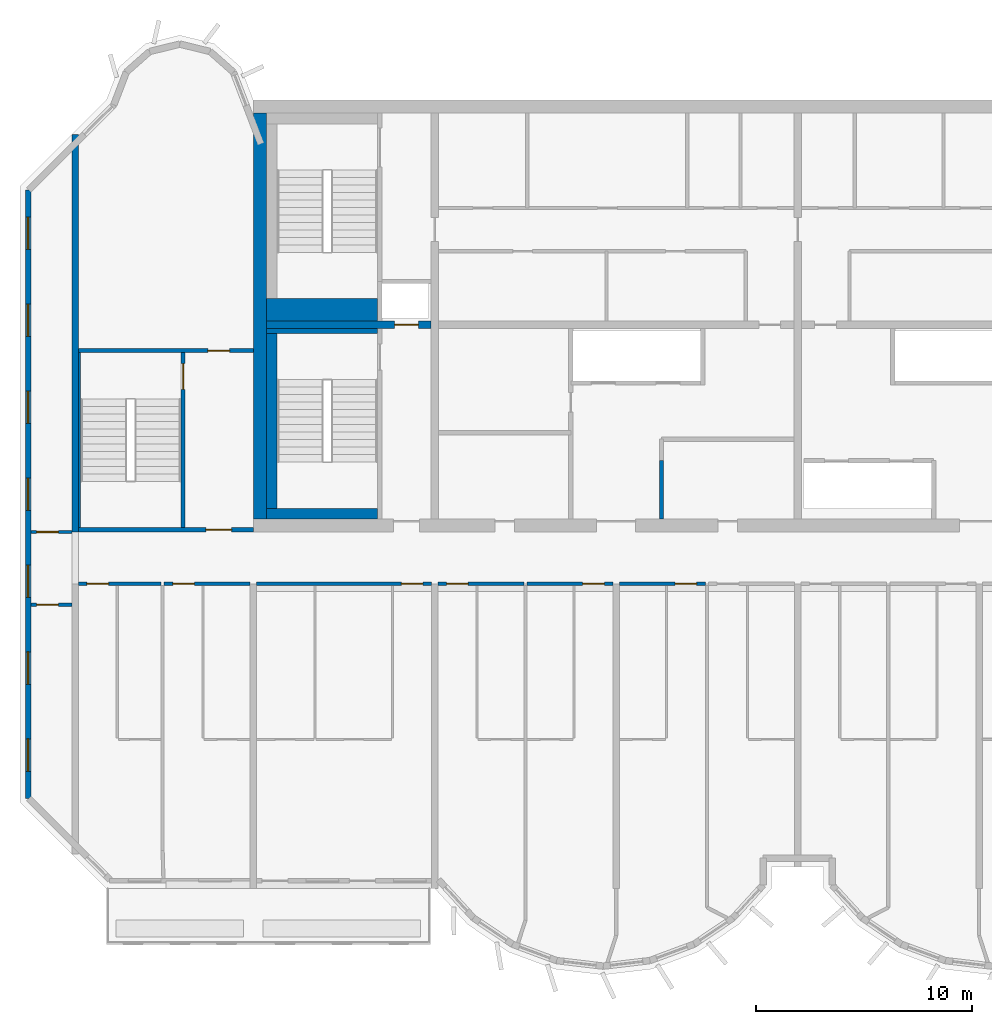
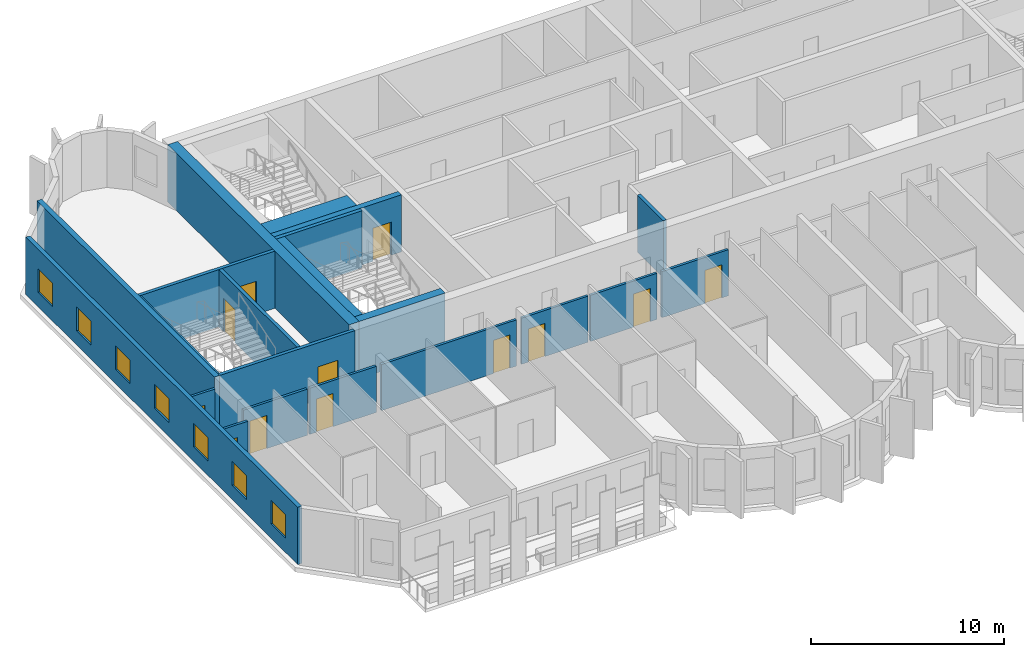
# One storey, part 3 of 11: 21 walls, 12 doors, 7 windows, 19 openings.
"""IFC4 building model written with IfcOpenShell, lengths in metres."""

import ifcopenshell
import ifcopenshell.guid

model = None  # the IFC model being written
_history = None  # IfcOwnerHistory: only IFC2X3 demands one
_inside = {}  # id of a spatial element -> (the spatial element, [elements in it])
_under = {}  # id of a project, library or spatial element -> (it, [spatial elements below it])
_declared = {}  # id of a project -> (the project, [libraries it declares])
_typed = {}  # id of a type object -> (the type object, [elements of that type])
_made_of = {}  # id of a material, layer set ... -> (it, [elements and type objects made of it])


def new_model(schema):
    """Start an empty IFC model of exactly this schema.

    Asked for "IFC4X3", IfcOpenShell would pick the latest addendum, in which some entities
    have other attributes; the version numbers below select the first issue.
    IFC2X3 requires an IfcOwnerHistory on every rooted entity: one is made here for all.
    """
    global model, _history
    if schema == "IFC4X3":
        model = ifcopenshell.file(schema_version=(4, 3, 0, 0))
    else:
        model = ifcopenshell.file(schema=schema)
    _inside.clear()
    _under.clear()
    _declared.clear()
    _typed.clear()
    _made_of.clear()
    _history = None
    if model.schema == "IFC2X3":
        org = make("IfcOrganization", Name="unknown")
        user = make(
            "IfcPersonAndOrganization",
            ThePerson=make("IfcPerson", FamilyName="unknown"),
            TheOrganization=org,
        )
        app = make(
            "IfcApplication",
            ApplicationDeveloper=org,
            Version="unknown",
            ApplicationFullName="unknown",
            ApplicationIdentifier="unknown",
        )
        _history = make(
            "IfcOwnerHistory",
            OwningUser=user,
            OwningApplication=app,
            ChangeAction="ADDED",
            CreationDate=0,
        )
    return model


def make(cls, **values):
    """One entity of the class cls with the attributes given. An attribute that is None is left unset."""
    return model.create_entity(
        cls, **{name: value for name, value in values.items() if value is not None}
    )


def rooted(cls, **values):
    """An entity with a GlobalId (a new one), such as an element, a storey or a relation."""
    return make(cls, GlobalId=ifcopenshell.guid.new(), OwnerHistory=_history, **values)


def si_unit(unit_type, name, prefix=None):
    """IfcSIUnit, for example si_unit("LENGTHUNIT", "METRE", prefix="MILLI")."""
    return make("IfcSIUnit", UnitType=unit_type, Prefix=prefix, Name=name)


def assignment(units):
    """IfcUnitAssignment: the units of a project."""
    return None if units is None else make("IfcUnitAssignment", Units=units)


def point(xyz):
    """IfcCartesianPoint."""
    return None if xyz is None else make("IfcCartesianPoint", Coordinates=xyz)


def direction(xyz):
    """IfcDirection."""
    return None if xyz is None else make("IfcDirection", DirectionRatios=xyz)


def frame(location, z_axis=None, x_axis=None):
    """IfcAxis2Placement3D, a coordinate frame: its origin and axes. An axis left out is left unset."""
    return make(
        "IfcAxis2Placement3D",
        Location=point(location),
        Axis=direction(z_axis),
        RefDirection=direction(x_axis),
    )


def frame_2d(location, x_axis=None):
    """IfcAxis2Placement2D, a coordinate frame in the plane: its origin and x axis."""
    return make(
        "IfcAxis2Placement2D", Location=point(location), RefDirection=direction(x_axis)
    )


def origin():
    """The frame at (0, 0, 0) with its axes left unset."""
    return frame((0.0, 0.0, 0.0))


def place(relative_to, where):
    """IfcLocalPlacement: puts the frame where relative to a parent placement (None: the world)."""
    return make(
        "IfcLocalPlacement", PlacementRelTo=relative_to, RelativePlacement=where
    )


def context(
    kind, dimensions, precision=None, world=None, true_north=None, identifier=None
):
    """IfcGeometricRepresentationContext, for example the 3D "Model" context."""
    return make(
        "IfcGeometricRepresentationContext",
        ContextIdentifier=identifier,
        ContextType=kind,
        CoordinateSpaceDimension=dimensions,
        Precision=precision,
        WorldCoordinateSystem=world,
        TrueNorth=true_north,
    )


def subcontext(parent, identifier, kind, view, scale=None):
    """IfcGeometricRepresentationSubContext, for example "Body" below "Model"."""
    return make(
        "IfcGeometricRepresentationSubContext",
        ContextIdentifier=identifier,
        ContextType=kind,
        ParentContext=parent,
        TargetScale=scale,
        TargetView=view,
    )


def project(units=None, contexts=None):
    """IfcProject with its units and contexts."""
    return rooted(
        "IfcProject",
        Name="project",
        RepresentationContexts=contexts,
        UnitsInContext=assignment(units),
    )


def spatial(cls, under=None, at=None, **own):
    """A site, building, storey or space (cls), placed at a placement, below another one or the project."""
    s = rooted(cls, ObjectPlacement=at, **own)
    if under is not None:
        _under.setdefault(under.id(), (under, []))[1].append(s)
    return s


def profile(cls, at=None, kind="AREA", **sizes):
    """A parametric profile (cls). Its sizes go by their IFC names, for example OverallWidth=200.0."""
    return make(cls, ProfileType=kind, Position=at, **sizes)


def rectangle(**sizes):
    """IfcRectangleProfileDef."""
    return profile("IfcRectangleProfileDef", **sizes)


def extrude(swept, where, along, depth):
    """IfcExtrudedAreaSolid: the profile swept, set in the frame where, extruded along a direction by depth."""
    return make(
        "IfcExtrudedAreaSolid",
        SweptArea=swept,
        Position=where,
        ExtrudedDirection=direction(along),
        Depth=depth,
    )


def shape(context_of_items, identifier, shape_type, items):
    """IfcShapeRepresentation: the items that make up one representation, for example the "Body"."""
    return make(
        "IfcShapeRepresentation",
        ContextOfItems=context_of_items,
        RepresentationIdentifier=identifier,
        RepresentationType=shape_type,
        Items=items,
    )


def source(mapping_origin, context_of_items, identifier, shape_type, items):
    """IfcRepresentationMap: a shape defined once, which mapped items show again and again."""
    return make(
        "IfcRepresentationMap",
        MappingOrigin=mapping_origin,
        MappedRepresentation=shape(context_of_items, identifier, shape_type, items),
    )


def transform(
    local_origin,
    x_axis=None,
    y_axis=None,
    z_axis=None,
    scale=None,
    scale2=None,
    scale3=None,
    uniform=True,
):
    """IfcCartesianTransformationOperator3D, or its non-uniform kind. x_axis, y_axis, z_axis: its Axis1, 2, 3."""
    if uniform:
        return make(
            "IfcCartesianTransformationOperator3D",
            Axis1=direction(x_axis),
            Axis2=direction(y_axis),
            LocalOrigin=point(local_origin),
            Scale=scale,
            Axis3=direction(z_axis),
        )
    return make(
        "IfcCartesianTransformationOperator3DnonUniform",
        Axis1=direction(x_axis),
        Axis2=direction(y_axis),
        LocalOrigin=point(local_origin),
        Scale=scale,
        Axis3=direction(z_axis),
        Scale2=scale2,
        Scale3=scale3,
    )


def mapped(mapping_source, mapping_target):
    """IfcMappedItem: shows the shape of a source again, moved by a transform."""
    return make(
        "IfcMappedItem", MappingSource=mapping_source, MappingTarget=mapping_target
    )


def material(Name=None, Category=None):
    """IfcMaterial."""
    return make("IfcMaterial", Name=Name, Category=Category)


def layer(
    of_material, thickness, ventilated=None, Name=None, Category=None, Priority=None
):
    """IfcMaterialLayer: one layer of a wall or slab, of a material (None: an air gap)."""
    return make(
        "IfcMaterialLayer",
        Material=of_material,
        LayerThickness=thickness,
        IsVentilated=ventilated,
        Name=Name,
        Category=Category,
        Priority=Priority,
    )


def layer_set(layers, Name=None):
    """IfcMaterialLayerSet."""
    return make("IfcMaterialLayerSet", MaterialLayers=layers, LayerSetName=Name)


def made_of(thing, what):
    """Note that an element or type object is made of a material, layer set ...; save() writes the relation."""
    if what is not None:
        _made_of.setdefault(what.id(), (what, []))[1].append(thing)
    return thing


def type_object(cls, material=None, **own):
    """A type object (cls), such as IfcWallType, which elements share."""
    return made_of(rooted(cls, **own), material)


def element(
    cls,
    number,
    at=None,
    inside=None,
    cuts=None,
    type_object=None,
    material=None,
    context=None,
    identifier="Body",
    shape_type=None,
    held_by="IfcProductDefinitionShape",
    body=None,
    shapes=None,
    **own,
):
    """One element of the class cls, such as IfcWall. Its Tag is "e" and its number.

    at: its placement. inside: the storey or other place that contains it. cuts: it is an
    opening in that element (IfcRelVoidsElement). A single representation is given by context,
    identifier, shape_type and body (its items); several are given by shapes. held_by: the class
    of the entity that holds the representations. save() writes the other relations.
    """
    e = rooted(cls, Tag="e%d" % number, ObjectPlacement=at, **own)
    if body is not None:
        shapes = [shape(context, identifier, shape_type, body)]
    if shapes is not None:
        e.Representation = make(held_by, Representations=shapes)
    if inside is not None:
        _inside.setdefault(inside.id(), (inside, []))[1].append(e)
    if cuts is not None:
        rooted(
            "IfcRelVoidsElement", RelatingBuildingElement=cuts, RelatedOpeningElement=e
        )
    if type_object is not None:
        _typed.setdefault(type_object.id(), (type_object, []))[1].append(e)
    return made_of(e, material)


def fill(opening, filler):
    """IfcRelFillsElement: the door or window that sits in an opening."""
    return rooted(
        "IfcRelFillsElement",
        RelatingOpeningElement=opening,
        RelatedBuildingElement=filler,
    )


def aggregate(whole, parts):
    """IfcRelAggregates: a whole, such as a stair, and the parts it consists of."""
    return rooted("IfcRelAggregates", RelatingObject=whole, RelatedObjects=parts)


def save(model, path):
    """Write the relations noted so far, then the file.

    IfcRelAggregates (storeys below a building ...), IfcRelContainedInSpatialStructure (elements
    in a storey), IfcRelDefinesByType, IfcRelAssociatesMaterial and IfcRelDeclares: one each for
    every whole, place, type object, material and project.
    """
    for whole, parts in _under.values():
        aggregate(whole, parts)
    for where, things in _inside.values():
        rooted(
            "IfcRelContainedInSpatialStructure",
            RelatedElements=things,
            RelatingStructure=where,
        )
    for kind, things in _typed.values():
        rooted("IfcRelDefinesByType", RelatedObjects=things, RelatingType=kind)
    for what, things in _made_of.values():
        rooted("IfcRelAssociatesMaterial", RelatedObjects=things, RelatingMaterial=what)
    for by, libraries in _declared.values():
        rooted("IfcRelDeclares", RelatingContext=by, RelatedDefinitions=libraries)
    model.write(path)


model = new_model("IFC4")

# Units and contexts
model_context = context("Model", 3, precision=1e-05, world=origin(), true_north=direction((0.0, 1.0)))
body_context = subcontext(model_context, "Body", "Model", "MODEL_VIEW")
ifc_project = project(units=[si_unit("LENGTHUNIT", "METRE"), si_unit("AREAUNIT", "SQUARE_METRE"), si_unit("VOLUMEUNIT", "CUBIC_METRE"), si_unit("PLANEANGLEUNIT", "RADIAN"), si_unit("MASSUNIT", "GRAM", prefix="KILO")], contexts=[model_context])

# Site, building, storey
site_placement = place(None, origin())
site = spatial("IfcSite", under=ifc_project, at=site_placement, CompositionType="ELEMENT")
building_placement = place(site_placement, origin())
building = spatial("IfcBuilding", under=site, at=building_placement, Name="Vanashikhar Sky Hotel", CompositionType="ELEMENT")
storey_placement = place(building_placement, frame((0.0, 0.0, 225.699951171875)))
storey = spatial("IfcBuildingStorey", under=building, at=storey_placement, Name="L54", CompositionType="ELEMENT", Elevation=225.699951171875)

# Wall
ifc_material_1 = material(Name="Concrete M60", Category="concrete")
ifc_layer_1 = layer(ifc_material_1, 0.60009765625)
ifc_layer_set_1 = layer_set([ifc_layer_1], Name="RC core shell wall 600 Concrete M60")
wall_type_1 = type_object("IfcWallType", Name="RC core shell wall 600 Concrete M60", PredefinedType="SHEAR", material=ifc_layer_set_1)
shared_shape_1 = source(origin(), body_context, "Body", "SweptSolid", [
    extrude(rectangle(XDim=18.7998046875, YDim=0.60009765625, at=frame_2d((9.39990234375, 0.0))), origin(), (0.0, 0.0, 1.0), 3.6201171875),
])
wall_1_placement = place(storey_placement, frame((25.5, 22.60009765625, 0.0), z_axis=(0.0, 0.0, 1.0), x_axis=(0.0, 1.0, 0.0)))
element("IfcWall", 1, at=wall_1_placement, inside=storey, type_object=wall_type_1, Name="KW-L54-KW", PredefinedType="SHEAR", context=body_context, shape_type="MappedRepresentation", body=[
    mapped(shared_shape_1, transform((0.0, 0.0, 0.0), scale=1.0)),
])

# Wall, opening, door
ifc_layer_2 = layer(ifc_material_1, 0.35009765625)
ifc_layer_set_2 = layer_set([ifc_layer_2], Name="RC core inner wall 350 Concrete M60")
wall_type_2 = type_object("IfcWallType", Name="RC core inner wall 350 Concrete M60", PredefinedType="SHEAR", material=ifc_layer_set_2)
shared_shape_2 = source(origin(), body_context, "Body", "SweptSolid", [
    extrude(rectangle(XDim=7.625, YDim=0.35009765625, at=frame_2d((3.8125, 0.0))), origin(), (0.0, 0.0, 1.0), 3.6201171875),
])
wall_2_placement = place(storey_placement, frame((25.800048828125, 31.60009765625, 0.0), z_axis=(0.0, 0.0, 1.0), x_axis=(1.0, 0.0, 0.0)))
wall_2 = element("IfcWall", 2, at=wall_2_placement, inside=storey, type_object=wall_type_2, Name="KW-L54-KY1", PredefinedType="SHEAR", context=body_context, shape_type="MappedRepresentation", body=[
    mapped(shared_shape_2, transform((0.0, 0.0, 0.0), scale=1.0)),
])
shared_shape_3 = source(origin(), body_context, "Body", "SweptSolid", [
    extrude(rectangle(XDim=1.10009765625, YDim=2.10009765625, at=frame_2d((0.550048828125, 1.050048828125))), frame((0.0, 0.18505859375, 0.0), z_axis=(0.0, -1.0, 0.0), x_axis=(1.0, 0.0, 0.0)), (0.0, 0.0, 1.0), 0.3701171875),
])
opening_1_placement = place(wall_2_placement, frame((5.93798828125, 0.0, 0.0)))
opening_1 = element("IfcOpeningElement", 3, at=opening_1_placement, cuts=wall_2, Name="Opening LD", PredefinedType="OPENING", context=body_context, shape_type="MappedRepresentation", body=[
    mapped(shared_shape_3, transform((0.0, 0.0, 0.0), scale=1.0)),
])
ifc_material_2 = material(Name="Stainless steel", Category="steel")
door_type_1 = type_object("IfcDoorType", Name="Lift landing door 1100", OperationType="NOTDEFINED", PredefinedType="DOOR", material=ifc_material_2)
shared_shape_4 = source(origin(), body_context, "Body", "SweptSolid", [
    extrude(rectangle(XDim=1.10009765625, YDim=2.10009765625, at=frame_2d((0.550048828125, 1.050048828125))), frame((0.0, 0.02490234375, 0.0), z_axis=(0.0, -1.0, 0.0), x_axis=(1.0, 0.0, 0.0)), (0.0, 0.0, 1.0), 0.050048828125),
])
door_1_placement = place(opening_1_placement, origin())
door_1 = element("IfcDoor", 4, at=door_1_placement, inside=storey, type_object=door_type_1, Name="Lift landing door 1100", OperationType="SLIDING_TO_LEFT", OverallHeight=2.10009765625, OverallWidth=1.10009765625, PredefinedType="DOOR", context=body_context, shape_type="MappedRepresentation", body=[
    mapped(shared_shape_4, transform((0.0, 0.0, 0.0), scale=1.0)),
])
fill(opening_1, door_1)

# Wall
ifc_layer_3 = layer(ifc_material_1, 0.300048828125)
ifc_layer_set_3 = layer_set([ifc_layer_3], Name="RC shear wall 300 Concrete M60")
wall_type_3 = type_object("IfcWallType", Name="RC shear wall 300 Concrete M60", PredefinedType="SHEAR", material=ifc_layer_set_3)
shared_shape_5 = source(origin(), body_context, "Body", "SweptSolid", [
    extrude(rectangle(XDim=18.39990234375, YDim=0.300048828125, at=frame_2d((9.199951171875, 0.0))), origin(), (0.0, 0.0, 1.0), 3.6201171875),
])
wall_3_placement = place(storey_placement, frame((16.949951171875, 22.0, 0.0), z_axis=(0.0, 0.0, 1.0), x_axis=(0.0, 1.0, 0.0)))
element("IfcWall", 5, at=wall_3_placement, inside=storey, type_object=wall_type_3, Name="CW-L54-XW03-2", PredefinedType="SHEAR", context=body_context, shape_type="MappedRepresentation", body=[
    mapped(shared_shape_5, transform((0.0, 0.0, 0.0), scale=1.0)),
])

# Wall, openings, windows
ifc_material_3 = material(Name="Concrete M50", Category="concrete")
ifc_layer_4 = layer(ifc_material_3, 0.25)
ifc_layer_set_4 = layer_set([ifc_layer_4], Name="Rear and end board-marked wall 250")
wall_type_4 = type_object("IfcWallType", Name="Rear and end board-marked wall 250", PredefinedType="SOLIDWALL", material=ifc_layer_set_4)
shared_shape_6 = source(origin(), body_context, "Body", "SweptSolid", [
    extrude(rectangle(XDim=28.189453125, YDim=0.25, at=frame_2d((14.0947265625, 0.0))), origin(), (0.0, 0.0, 1.0), 3.6201171875),
])
wall_4_placement = place(storey_placement, frame((14.77490234375, 37.8447265625, 0.0), z_axis=(0.0, 0.0, 1.0), x_axis=(0.0, -1.0, 0.0)))
wall_4 = element("IfcWall", 6, at=wall_4_placement, inside=storey, type_object=wall_type_4, Name="End board-marked wall", PredefinedType="SOLIDWALL", context=body_context, shape_type="MappedRepresentation", body=[
    mapped(shared_shape_6, transform((0.0, 0.0, 0.0), scale=1.0)),
])
shared_shape_7 = source(origin(), body_context, "Body", "SweptSolid", [
    extrude(rectangle(XDim=1.5, YDim=1.5, at=frame_2d((0.75, 0.75))), frame((0.0, 0.135009765625, 0.0), z_axis=(0.0, -1.0, 0.0), x_axis=(1.0, 0.0, 0.0)), (0.0, 0.0, 1.0), 0.27001953125),
])
opening_2_placement = place(wall_4_placement, frame((1.263427734375, 0.0, 0.89990234375)))
opening_2 = element("IfcOpeningElement", 7, at=opening_2_placement, cuts=wall_4, Name="Opening WN-1", PredefinedType="OPENING", context=body_context, shape_type="MappedRepresentation", body=[
    mapped(shared_shape_7, transform((0.0, 0.0, 0.0), scale=1.0)),
])
opening_3_placement = place(wall_4_placement, frame((5.29052734375, 0.0, 0.89990234375)))
opening_3 = element("IfcOpeningElement", 8, at=opening_3_placement, cuts=wall_4, Name="Opening WN-1", PredefinedType="OPENING", context=body_context, shape_type="MappedRepresentation", body=[
    mapped(shared_shape_7, transform((0.0, 0.0, 0.0), scale=1.0)),
])
opening_4_placement = place(wall_4_placement, frame((9.317626953125, 0.0, 0.89990234375)))
opening_4 = element("IfcOpeningElement", 9, at=opening_4_placement, cuts=wall_4, Name="Opening WN-1", PredefinedType="OPENING", context=body_context, shape_type="MappedRepresentation", body=[
    mapped(shared_shape_7, transform((0.0, 0.0, 0.0), scale=1.0)),
])
opening_5_placement = place(wall_4_placement, frame((13.3447265625, 0.0, 0.89990234375)))
opening_5 = element("IfcOpeningElement", 10, at=opening_5_placement, cuts=wall_4, Name="Opening WN-1", PredefinedType="OPENING", context=body_context, shape_type="MappedRepresentation", body=[
    mapped(shared_shape_7, transform((0.0, 0.0, 0.0), scale=1.0)),
])
opening_6_placement = place(wall_4_placement, frame((17.371826171875, 0.0, 0.89990234375)))
opening_6 = element("IfcOpeningElement", 11, at=opening_6_placement, cuts=wall_4, Name="Opening WN-1", PredefinedType="OPENING", context=body_context, shape_type="MappedRepresentation", body=[
    mapped(shared_shape_7, transform((0.0, 0.0, 0.0), scale=1.0)),
])
opening_7_placement = place(wall_4_placement, frame((21.398681640625, 0.0, 0.89990234375)))
opening_7 = element("IfcOpeningElement", 12, at=opening_7_placement, cuts=wall_4, Name="Opening WN-1", PredefinedType="OPENING", context=body_context, shape_type="MappedRepresentation", body=[
    mapped(shared_shape_7, transform((0.0, 0.0, 0.0), scale=1.0)),
])
opening_8_placement = place(wall_4_placement, frame((25.42578125, 0.0, 0.89990234375)))
opening_8 = element("IfcOpeningElement", 13, at=opening_8_placement, cuts=wall_4, Name="Opening WN-1", PredefinedType="OPENING", context=body_context, shape_type="MappedRepresentation", body=[
    mapped(shared_shape_7, transform((0.0, 0.0, 0.0), scale=1.0)),
])
ifc_material_4 = material(Name="Glass", Category="glass")
window_type = type_object("IfcWindowType", Name="Window 1500 x 1500", PartitioningType="SINGLE_PANEL", PredefinedType="WINDOW", material=ifc_material_4)
shared_shape_8 = source(origin(), body_context, "Body", "SweptSolid", [
    extrude(rectangle(XDim=1.5, YDim=1.5, at=frame_2d((0.75, 0.75))), frame((0.0, 0.030029296875, 0.0), z_axis=(0.0, -1.0, 0.0), x_axis=(1.0, 0.0, 0.0)), (0.0, 0.0, 1.0), 0.06005859375),
])
window_1_placement = place(opening_2_placement, origin())
window_1 = element("IfcWindow", 14, at=window_1_placement, inside=storey, type_object=window_type, Name="Window WN-1", OverallHeight=1.5, OverallWidth=1.5, PartitioningType="SINGLE_PANEL", PredefinedType="WINDOW", context=body_context, shape_type="MappedRepresentation", body=[
    mapped(shared_shape_8, transform((0.0, 0.0, 0.0), scale=1.0)),
])
fill(opening_2, window_1)
window_2_placement = place(opening_3_placement, origin())
window_2 = element("IfcWindow", 15, at=window_2_placement, inside=storey, type_object=window_type, Name="Window WN-1", OverallHeight=1.5, OverallWidth=1.5, PartitioningType="SINGLE_PANEL", PredefinedType="WINDOW", context=body_context, shape_type="MappedRepresentation", body=[
    mapped(shared_shape_8, transform((0.0, 0.0, 0.0), scale=1.0)),
])
fill(opening_3, window_2)
window_3_placement = place(opening_4_placement, origin())
window_3 = element("IfcWindow", 16, at=window_3_placement, inside=storey, type_object=window_type, Name="Window WN-1", OverallHeight=1.5, OverallWidth=1.5, PartitioningType="SINGLE_PANEL", PredefinedType="WINDOW", context=body_context, shape_type="MappedRepresentation", body=[
    mapped(shared_shape_8, transform((0.0, 0.0, 0.0), scale=1.0)),
])
fill(opening_4, window_3)
window_4_placement = place(opening_5_placement, origin())
window_4 = element("IfcWindow", 17, at=window_4_placement, inside=storey, type_object=window_type, Name="Window WN-1", OverallHeight=1.5, OverallWidth=1.5, PartitioningType="SINGLE_PANEL", PredefinedType="WINDOW", context=body_context, shape_type="MappedRepresentation", body=[
    mapped(shared_shape_8, transform((0.0, 0.0, 0.0), scale=1.0)),
])
fill(opening_5, window_4)
window_5_placement = place(opening_6_placement, origin())
window_5 = element("IfcWindow", 18, at=window_5_placement, inside=storey, type_object=window_type, Name="Window WN-1", OverallHeight=1.5, OverallWidth=1.5, PartitioningType="SINGLE_PANEL", PredefinedType="WINDOW", context=body_context, shape_type="MappedRepresentation", body=[
    mapped(shared_shape_8, transform((0.0, 0.0, 0.0), scale=1.0)),
])
fill(opening_6, window_5)
window_6_placement = place(opening_7_placement, origin())
window_6 = element("IfcWindow", 19, at=window_6_placement, inside=storey, type_object=window_type, Name="Window WN-1", OverallHeight=1.5, OverallWidth=1.5, PartitioningType="SINGLE_PANEL", PredefinedType="WINDOW", context=body_context, shape_type="MappedRepresentation", body=[
    mapped(shared_shape_8, transform((0.0, 0.0, 0.0), scale=1.0)),
])
fill(opening_7, window_6)
window_7_placement = place(opening_8_placement, origin())
window_7 = element("IfcWindow", 20, at=window_7_placement, inside=storey, type_object=window_type, Name="Window WN-1", OverallHeight=1.5, OverallWidth=1.5, PartitioningType="SINGLE_PANEL", PredefinedType="WINDOW", context=body_context, shape_type="MappedRepresentation", body=[
    mapped(shared_shape_8, transform((0.0, 0.0, 0.0), scale=1.0)),
])
fill(opening_8, window_7)

# Wall
ifc_material_5 = material(Name="Gypsum board partition")
ifc_layer_5 = layer(ifc_material_5, 0.14990234375)
ifc_layer_set_5 = layer_set([ifc_layer_5], Name="Service partition 150")
wall_type_5 = type_object("IfcWallType", Name="Service partition 150", PredefinedType="PARTITIONING", material=ifc_layer_set_5)
shared_shape_9 = source(origin(), body_context, "Body", "SweptSolid", [
    extrude(rectangle(XDim=2.699951171875, YDim=0.199951171875, at=frame_2d((1.35009765625, 0.0))), origin(), (0.0, 0.0, 1.0), 3.6201171875),
])
wall_5_placement = place(storey_placement, frame((44.10009765625, 22.60009765625, 0.0), z_axis=(0.0, 0.0, 1.0), x_axis=(0.0, 1.0, 0.0)))
element("IfcWall", 21, at=wall_5_placement, inside=storey, type_object=wall_type_5, Name="Service partition 150", PredefinedType="PARTITIONING", context=body_context, shape_type="MappedRepresentation", body=[
    mapped(shared_shape_9, transform((0.0, 0.0, 0.0), scale=1.0)),
])

# Wall, opening, door
ifc_layer_6 = layer(ifc_material_3, 0.199951171875)
ifc_layer_set_6 = layer_set([ifc_layer_6], Name="Stair wall 200")
wall_type_6 = type_object("IfcWallType", Name="Stair wall 200", PredefinedType="SOLIDWALL", material=ifc_layer_set_6)
shared_shape_10 = source(origin(), body_context, "Body", "SweptSolid", [
    extrude(rectangle(XDim=8.2998046875, YDim=0.199951171875, at=frame_2d((4.14990234375, 0.0))), origin(), (0.0, 0.0, 1.0), 3.6201171875),
])
wall_6_placement = place(storey_placement, frame((21.949951171875, 22.10009765625, 0.0), z_axis=(0.0, 0.0, 1.0), x_axis=(0.0, 1.0, 0.0)))
wall_6 = element("IfcWall", 22, at=wall_6_placement, inside=storey, type_object=wall_type_6, Name="Stair wall 200", PredefinedType="SOLIDWALL", context=body_context, shape_type="MappedRepresentation", body=[
    mapped(shared_shape_10, transform((0.0, 0.0, 0.0), scale=1.0)),
])
shared_shape_11 = source(origin(), body_context, "Body", "SweptSolid", [
    extrude(rectangle(XDim=1.199951171875, YDim=2.10009765625, at=frame_2d((0.60009765625, 1.050048828125))), frame((0.0, 0.10986328125, 0.0), z_axis=(0.0, -1.0, 0.0), x_axis=(1.0, 0.0, 0.0)), (0.0, 0.0, 1.0), 0.219970703125),
])
opening_9_placement = place(wall_6_placement, frame((6.5, 0.0, 0.0)))
opening_9 = element("IfcOpeningElement", 23, at=opening_9_placement, cuts=wall_6, Name="Opening DC-1", PredefinedType="OPENING", context=body_context, shape_type="MappedRepresentation", body=[
    mapped(shared_shape_11, transform((0.0, 0.0, 0.0), scale=1.0)),
])
ifc_material_6 = material(Name="Steel", Category="steel")
door_type_2 = type_object("IfcDoorType", Name="Stair door 1200 FD120", OperationType="NOTDEFINED", PredefinedType="DOOR", material=ifc_material_6)
shared_shape_12 = source(origin(), body_context, "Body", "SweptSolid", [
    extrude(rectangle(XDim=1.199951171875, YDim=2.10009765625, at=frame_2d((0.60009765625, 1.050048828125))), frame((0.0, 0.02490234375, 0.0), z_axis=(0.0, -1.0, 0.0), x_axis=(1.0, 0.0, 0.0)), (0.0, 0.0, 1.0), 0.050048828125),
])
door_2_placement = place(opening_9_placement, origin())
door_2 = element("IfcDoor", 24, at=door_2_placement, inside=storey, type_object=door_type_2, Name="Stair door 1200 FD120", OperationType="SINGLE_SWING_RIGHT", OverallHeight=2.10009765625, OverallWidth=1.199951171875, PredefinedType="DOOR", context=body_context, shape_type="MappedRepresentation", body=[
    mapped(shared_shape_12, transform((0.0, 0.0, 0.0), scale=1.0)),
])
fill(opening_9, door_2)

shared_shape_13 = source(origin(), body_context, "Body", "SweptSolid", [
    extrude(rectangle(XDim=8.099853515625, YDim=0.199951171875, at=frame_2d((4.0498046875, 0.0))), origin(), (0.0, 0.0, 1.0), 3.6201171875),
])
wall_7_placement = place(storey_placement, frame((17.10009765625, 22.10009765625, 0.0), z_axis=(0.0, 0.0, 1.0), x_axis=(1.0, 0.0, 0.0)))
wall_7 = element("IfcWall", 25, at=wall_7_placement, inside=storey, type_object=wall_type_6, Name="Stair wall 200", PredefinedType="SOLIDWALL", context=body_context, shape_type="MappedRepresentation", body=[
    mapped(shared_shape_13, transform((0.0, 0.0, 0.0), scale=1.0)),
])
opening_10_placement = place(wall_7_placement, frame((5.89990234375, 0.0, 0.0)))
opening_10 = element("IfcOpeningElement", 26, at=opening_10_placement, cuts=wall_7, Name="Opening DC-2", PredefinedType="OPENING", context=body_context, shape_type="MappedRepresentation", body=[
    mapped(shared_shape_11, transform((0.0, 0.0, 0.0), scale=1.0)),
])
door_type_3 = type_object("IfcDoorType", Name="Firefighting lobby door 1200 FD120", OperationType="NOTDEFINED", PredefinedType="DOOR", material=ifc_material_6)
door_3_placement = place(opening_10_placement, origin())
door_3 = element("IfcDoor", 27, at=door_3_placement, inside=storey, type_object=door_type_3, Name="Firefighting lobby door 1200 FD120", OperationType="SINGLE_SWING_RIGHT", OverallHeight=2.10009765625, OverallWidth=1.199951171875, PredefinedType="DOOR", context=body_context, shape_type="MappedRepresentation", body=[
    mapped(shared_shape_12, transform((0.0, 0.0, 0.0), scale=1.0)),
])
fill(opening_10, door_3)

wall_8_placement = place(storey_placement, frame((17.10009765625, 30.39990234375, 0.0), z_axis=(0.0, 0.0, 1.0), x_axis=(1.0, 0.0, 0.0)))
wall_8 = element("IfcWall", 28, at=wall_8_placement, inside=storey, type_object=wall_type_6, Name="Stair wall 200", PredefinedType="SOLIDWALL", context=body_context, shape_type="MappedRepresentation", body=[
    mapped(shared_shape_13, transform((0.0, 0.0, 0.0), scale=1.0)),
])
shared_shape_14 = source(origin(), body_context, "Body", "SweptSolid", [
    extrude(rectangle(XDim=1.0, YDim=2.10009765625, at=frame_2d((0.5, 1.050048828125))), frame((0.0, 0.10986328125, 0.0), z_axis=(0.0, -1.0, 0.0), x_axis=(1.0, 0.0, 0.0)), (0.0, 0.0, 1.0), 0.219970703125),
])
opening_11_placement = place(wall_8_placement, frame((6.0, 0.0, 0.0)))
opening_11 = element("IfcOpeningElement", 29, at=opening_11_placement, cuts=wall_8, Name="Opening DC-6", PredefinedType="OPENING", context=body_context, shape_type="MappedRepresentation", body=[
    mapped(shared_shape_14, transform((0.0, 0.0, 0.0), scale=1.0)),
])
door_type_4 = type_object("IfcDoorType", Name="Pocket door 1000 FD60", OperationType="NOTDEFINED", PredefinedType="DOOR", material=ifc_material_6)
shared_shape_15 = source(origin(), body_context, "Body", "SweptSolid", [
    extrude(rectangle(XDim=1.0, YDim=2.10009765625, at=frame_2d((0.5, 1.050048828125))), frame((0.0, 0.02490234375, 0.0), z_axis=(0.0, -1.0, 0.0), x_axis=(1.0, 0.0, 0.0)), (0.0, 0.0, 1.0), 0.050048828125),
])
door_4_placement = place(opening_11_placement, origin())
door_4 = element("IfcDoor", 30, at=door_4_placement, inside=storey, type_object=door_type_4, Name="Pocket door 1000 FD60", OperationType="SINGLE_SWING_RIGHT", OverallHeight=2.10009765625, OverallWidth=1.0, PredefinedType="DOOR", context=body_context, shape_type="MappedRepresentation", body=[
    mapped(shared_shape_15, transform((0.0, 0.0, 0.0), scale=1.0)),
])
fill(opening_11, door_4)

# Walls
ifc_layer_7 = layer(ifc_material_3, 0.5)
ifc_layer_set_7 = layer_set([ifc_layer_7], Name="Stair infill wall 500")
wall_type_7 = type_object("IfcWallType", Name="Stair infill wall 500", PredefinedType="SOLIDWALL", material=ifc_layer_set_7)
shared_shape_16 = source(origin(), body_context, "Body", "SweptSolid", [
    extrude(rectangle(XDim=5.14990234375, YDim=0.5, at=frame_2d((2.574951171875, 0.0))), origin(), (0.0, 0.0, 1.0), 3.6201171875),
])
wall_9_placement = place(storey_placement, frame((25.800048828125, 22.85009765625, 0.0), z_axis=(0.0, 0.0, 1.0), x_axis=(1.0, 0.0, 0.0)))
element("IfcWall", 31, at=wall_9_placement, inside=storey, type_object=wall_type_7, Name="Stair infill wall 500", PredefinedType="SOLIDWALL", context=body_context, shape_type="MappedRepresentation", body=[
    mapped(shared_shape_16, transform((0.0, 0.0, 0.0), scale=1.0)),
])
ifc_layer_8 = layer(ifc_material_3, 0.22509765625)
ifc_layer_set_8 = layer_set([ifc_layer_8], Name="Stair infill wall 225")
wall_type_8 = type_object("IfcWallType", Name="Stair infill wall 225", PredefinedType="SOLIDWALL", material=ifc_layer_set_8)
shared_shape_17 = source(origin(), body_context, "Body", "SweptSolid", [
    extrude(rectangle(XDim=5.14990234375, YDim=0.22509765625, at=frame_2d((2.574951171875, 0.0))), origin(), (0.0, 0.0, 1.0), 3.6201171875),
])
wall_10_placement = place(storey_placement, frame((25.800048828125, 31.31201171875, 0.0), z_axis=(0.0, 0.0, 1.0), x_axis=(1.0, 0.0, 0.0)))
element("IfcWall", 32, at=wall_10_placement, inside=storey, type_object=wall_type_8, Name="Stair infill wall 225", PredefinedType="SOLIDWALL", context=body_context, shape_type="MappedRepresentation", body=[
    mapped(shared_shape_17, transform((0.0, 0.0, 0.0), scale=1.0)),
])
shared_shape_18 = source(origin(), body_context, "Body", "SweptSolid", [
    extrude(rectangle(XDim=8.099853515625, YDim=0.5, at=frame_2d((4.0498046875, 0.0))), origin(), (0.0, 0.0, 1.0), 3.6201171875),
])
wall_11_placement = place(storey_placement, frame((26.050048828125, 23.10009765625, 0.0), z_axis=(0.0, 0.0, 1.0), x_axis=(0.0, 1.0, 0.0)))
element("IfcWall", 33, at=wall_11_placement, inside=storey, type_object=wall_type_7, Name="Stair infill wall 500", PredefinedType="SOLIDWALL", context=body_context, shape_type="MappedRepresentation", body=[
    mapped(shared_shape_18, transform((0.0, 0.0, 0.0), scale=1.0)),
])
ifc_layer_9 = layer(ifc_material_3, 0.10009765625)
ifc_layer_set_9 = layer_set([ifc_layer_9], Name="Stair infill wall 100")
wall_type_9 = type_object("IfcWallType", Name="Stair infill wall 100", PredefinedType="SOLIDWALL", material=ifc_layer_set_9)
shared_shape_19 = source(origin(), body_context, "Body", "SweptSolid", [
    extrude(rectangle(XDim=8.10009765625, YDim=0.10009765625, at=frame_2d((4.050048828125, 0.0))), origin(), (0.0, 0.0, 1.0), 3.6201171875),
])
wall_12_placement = place(storey_placement, frame((17.14990234375, 22.199951171875, 0.0), z_axis=(0.0, 0.0, 1.0), x_axis=(0.0, 1.0, 0.0)))
element("IfcWall", 34, at=wall_12_placement, inside=storey, type_object=wall_type_9, Name="Stair infill wall 100", PredefinedType="SOLIDWALL", context=body_context, shape_type="MappedRepresentation", body=[
    mapped(shared_shape_19, transform((0.0, 0.0, 0.0), scale=1.0)),
])
ifc_layer_10 = layer(ifc_material_3, 1.02490234375)
ifc_layer_set_10 = layer_set([ifc_layer_10], Name="Stair infill wall 1025")
wall_type_10 = type_object("IfcWallType", Name="Stair infill wall 1025", PredefinedType="SOLIDWALL", material=ifc_layer_set_10)
shared_shape_20 = source(origin(), body_context, "Body", "SweptSolid", [
    extrude(rectangle(XDim=5.14990234375, YDim=1.02490234375, at=frame_2d((2.574951171875, 0.0))), origin(), (0.0, 0.0, 1.0), 3.6201171875),
])
wall_13_placement = place(storey_placement, frame((25.800048828125, 32.287109375, 0.0), z_axis=(0.0, 0.0, 1.0), x_axis=(1.0, 0.0, 0.0)))
element("IfcWall", 35, at=wall_13_placement, inside=storey, type_object=wall_type_10, Name="Stair infill wall 1025", PredefinedType="SOLIDWALL", context=body_context, shape_type="MappedRepresentation", body=[
    mapped(shared_shape_20, transform((0.0, 0.0, 0.0), scale=1.0)),
])

# Wall, opening, door
ifc_material_7 = material(Name="Gypsum plasterboard partition")
ifc_layer_11 = layer(ifc_material_7, 0.14990234375)
ifc_layer_set_11 = layer_set([ifc_layer_11], Name="Corridor and demising partition 150")
wall_type_11 = type_object("IfcWallType", Name="Corridor and demising partition 150", PredefinedType="PARTITIONING", material=ifc_layer_set_11)
shared_shape_21 = source(origin(), body_context, "Body", "SweptSolid", [
    extrude(rectangle(XDim=3.824951171875, YDim=0.14990234375, at=frame_2d((1.91259765625, 0.0))), origin(), (0.0, 0.0, 1.0), 2.920166015625),
])
wall_14_placement = place(storey_placement, frame((17.10009765625, 19.60009765625, 0.0), z_axis=(0.0, 0.0, 1.0), x_axis=(1.0, 0.0, 0.0)))
wall_14 = element("IfcWall", 36, at=wall_14_placement, inside=storey, type_object=wall_type_11, Name="W-L54-PW003", PredefinedType="PARTITIONING", context=body_context, shape_type="MappedRepresentation", body=[
    mapped(shared_shape_21, transform((0.0, 0.0, 0.0), scale=1.0)),
])
shared_shape_22 = source(origin(), body_context, "Body", "SweptSolid", [
    extrude(rectangle(XDim=1.0, YDim=2.10009765625, at=frame_2d((0.5, 1.050048828125))), frame((0.0, 0.0849609375, 0.0), z_axis=(0.0, -1.0, 0.0), x_axis=(1.0, 0.0, 0.0)), (0.0, 0.0, 1.0), 0.169921875),
])
opening_12_placement = place(wall_14_placement, frame((0.39990234375, 0.0, 0.0)))
opening_12 = element("IfcOpeningElement", 37, at=opening_12_placement, cuts=wall_14, Name="Opening D-01", PredefinedType="OPENING", context=body_context, shape_type="MappedRepresentation", body=[
    mapped(shared_shape_22, transform((0.0, 0.0, 0.0), scale=1.0)),
])
ifc_material_8 = material(Name="Timber fire door", Category="wood")
door_type_5 = type_object("IfcDoorType", Name="Guest entry door 1000 FD30S", OperationType="NOTDEFINED", PredefinedType="DOOR", material=ifc_material_8)
door_5_placement = place(opening_12_placement, origin())
door_5 = element("IfcDoor", 38, at=door_5_placement, inside=storey, type_object=door_type_5, Name="D-L54-002", OperationType="SINGLE_SWING_LEFT", OverallHeight=2.10009765625, OverallWidth=1.0, PredefinedType="DOOR", context=body_context, shape_type="MappedRepresentation", body=[
    mapped(shared_shape_15, transform((0.0, 0.0, 0.0), scale=1.0)),
])
fill(opening_12, door_5)

shared_shape_23 = source(origin(), body_context, "Body", "SweptSolid", [
    extrude(rectangle(XDim=3.97509765625, YDim=0.14990234375, at=frame_2d((1.987548828125, 0.0))), origin(), (0.0, 0.0, 1.0), 2.920166015625),
])
wall_15_placement = place(storey_placement, frame((21.074951171875, 19.60009765625, 0.0), z_axis=(0.0, 0.0, 1.0), x_axis=(1.0, 0.0, 0.0)))
wall_15 = element("IfcWall", 39, at=wall_15_placement, inside=storey, type_object=wall_type_11, Name="W-L54-PW006", PredefinedType="PARTITIONING", context=body_context, shape_type="MappedRepresentation", body=[
    mapped(shared_shape_23, transform((0.0, 0.0, 0.0), scale=1.0)),
])
opening_13_placement = place(wall_15_placement, frame((0.39990234375, 0.0, 0.0)))
opening_13 = element("IfcOpeningElement", 40, at=opening_13_placement, cuts=wall_15, Name="Opening D-01", PredefinedType="OPENING", context=body_context, shape_type="MappedRepresentation", body=[
    mapped(shared_shape_22, transform((0.0, 0.0, 0.0), scale=1.0)),
])
door_6_placement = place(opening_13_placement, origin())
door_6 = element("IfcDoor", 41, at=door_6_placement, inside=storey, type_object=door_type_5, Name="D-L54-004", OperationType="SINGLE_SWING_LEFT", OverallHeight=2.10009765625, OverallWidth=1.0, PredefinedType="DOOR", context=body_context, shape_type="MappedRepresentation", body=[
    mapped(shared_shape_15, transform((0.0, 0.0, 0.0), scale=1.0)),
])
fill(opening_13, door_6)

wall_16_placement = place(storey_placement, frame((33.75, 19.60009765625, 0.0), z_axis=(0.0, 0.0, 1.0), x_axis=(1.0, 0.0, 0.0)))
wall_16 = element("IfcWall", 42, at=wall_16_placement, inside=storey, type_object=wall_type_11, Name="W-L54-PW015", PredefinedType="PARTITIONING", context=body_context, shape_type="MappedRepresentation", body=[
    mapped(shared_shape_23, transform((0.0, 0.0, 0.0), scale=1.0)),
])
opening_14_placement = place(wall_16_placement, frame((0.39990234375, 0.0, 0.0)))
opening_14 = element("IfcOpeningElement", 43, at=opening_14_placement, cuts=wall_16, Name="Opening D-01", PredefinedType="OPENING", context=body_context, shape_type="MappedRepresentation", body=[
    mapped(shared_shape_22, transform((0.0, 0.0, 0.0), scale=1.0)),
])
door_7_placement = place(opening_14_placement, origin())
door_7 = element("IfcDoor", 44, at=door_7_placement, inside=storey, type_object=door_type_5, Name="D-L54-009", OperationType="SINGLE_SWING_LEFT", OverallHeight=2.10009765625, OverallWidth=1.0, PredefinedType="DOOR", context=body_context, shape_type="MappedRepresentation", body=[
    mapped(shared_shape_15, transform((0.0, 0.0, 0.0), scale=1.0)),
])
fill(opening_14, door_7)

wall_17_placement = place(storey_placement, frame((37.875, 19.60009765625, 0.0), z_axis=(0.0, 0.0, 1.0), x_axis=(1.0, 0.0, 0.0)))
wall_17 = element("IfcWall", 45, at=wall_17_placement, inside=storey, type_object=wall_type_11, Name="W-L54-PW018", PredefinedType="PARTITIONING", context=body_context, shape_type="MappedRepresentation", body=[
    mapped(shared_shape_23, transform((0.0, 0.0, 0.0), scale=1.0)),
])
opening_15_placement = place(wall_17_placement, frame((2.574951171875, 0.0, 0.0)))
opening_15 = element("IfcOpeningElement", 46, at=opening_15_placement, cuts=wall_17, Name="Opening D-01", PredefinedType="OPENING", context=body_context, shape_type="MappedRepresentation", body=[
    mapped(shared_shape_22, transform((0.0, 0.0, 0.0), scale=1.0)),
])
door_8_placement = place(opening_15_placement, origin())
door_8 = element("IfcDoor", 47, at=door_8_placement, inside=storey, type_object=door_type_5, Name="D-L54-011", OperationType="SINGLE_SWING_RIGHT", OverallHeight=2.10009765625, OverallWidth=1.0, PredefinedType="DOOR", context=body_context, shape_type="MappedRepresentation", body=[
    mapped(shared_shape_15, transform((0.0, 0.0, 0.0), scale=1.0)),
])
fill(opening_15, door_8)

wall_18_placement = place(storey_placement, frame((42.14990234375, 19.60009765625, 0.0), z_axis=(0.0, 0.0, 1.0), x_axis=(1.0, 0.0, 0.0)))
wall_18 = element("IfcWall", 48, at=wall_18_placement, inside=storey, type_object=wall_type_11, Name="W-L54-PW022", PredefinedType="PARTITIONING", context=body_context, shape_type="MappedRepresentation", body=[
    mapped(shared_shape_23, transform((0.0, 0.0, 0.0), scale=1.0)),
])
opening_16_placement = place(wall_18_placement, frame((2.574951171875, 0.0, 0.0)))
opening_16 = element("IfcOpeningElement", 49, at=opening_16_placement, cuts=wall_18, Name="Opening D-01", PredefinedType="OPENING", context=body_context, shape_type="MappedRepresentation", body=[
    mapped(shared_shape_22, transform((0.0, 0.0, 0.0), scale=1.0)),
])
door_9_placement = place(opening_16_placement, origin())
door_9 = element("IfcDoor", 50, at=door_9_placement, inside=storey, type_object=door_type_5, Name="D-L54-013", OperationType="SINGLE_SWING_RIGHT", OverallHeight=2.10009765625, OverallWidth=1.0, PredefinedType="DOOR", context=body_context, shape_type="MappedRepresentation", body=[
    mapped(shared_shape_15, transform((0.0, 0.0, 0.0), scale=1.0)),
])
fill(opening_16, door_9)

shared_shape_24 = source(origin(), body_context, "Body", "SweptSolid", [
    extrude(rectangle(XDim=8.099853515625, YDim=0.14990234375, at=frame_2d((4.0498046875, 0.0))), origin(), (0.0, 0.0, 1.0), 2.920166015625),
])
wall_19_placement = place(storey_placement, frame((25.35009765625, 19.60009765625, 0.0), z_axis=(0.0, 0.0, 1.0), x_axis=(1.0, 0.0, 0.0)))
wall_19 = element("IfcWall", 51, at=wall_19_placement, inside=storey, type_object=wall_type_11, Name="W-L54-PW012", PredefinedType="PARTITIONING", context=body_context, shape_type="MappedRepresentation", body=[
    mapped(shared_shape_24, transform((0.0, 0.0, 0.0), scale=1.0)),
])
opening_17_placement = place(wall_19_placement, frame((6.699951171875, 0.0, 0.0)))
opening_17 = element("IfcOpeningElement", 52, at=opening_17_placement, cuts=wall_19, Name="Opening D-01", PredefinedType="OPENING", context=body_context, shape_type="MappedRepresentation", body=[
    mapped(shared_shape_22, transform((0.0, 0.0, 0.0), scale=1.0)),
])
door_10_placement = place(opening_17_placement, origin())
door_10 = element("IfcDoor", 53, at=door_10_placement, inside=storey, type_object=door_type_5, Name="D-L54-007", OperationType="SINGLE_SWING_RIGHT", OverallHeight=2.10009765625, OverallWidth=1.0, PredefinedType="DOOR", context=body_context, shape_type="MappedRepresentation", body=[
    mapped(shared_shape_15, transform((0.0, 0.0, 0.0), scale=1.0)),
])
fill(opening_17, door_10)

shared_shape_25 = source(origin(), body_context, "Body", "SweptSolid", [
    extrude(rectangle(XDim=1.900146484375, YDim=0.14990234375, at=frame_2d((0.9501953125, 0.0))), origin(), (0.0, 0.0, 1.0), 2.920166015625),
])
wall_20_placement = place(storey_placement, frame((14.89990234375, 22.0, 0.0), z_axis=(0.0, 0.0, 1.0), x_axis=(1.0, 0.0, 0.0)))
wall_20 = element("IfcWall", 54, at=wall_20_placement, inside=storey, type_object=wall_type_11, Name="W-L54-PW049", PredefinedType="PARTITIONING", context=body_context, shape_type="MappedRepresentation", body=[
    mapped(shared_shape_25, transform((0.0, 0.0, 0.0), scale=1.0)),
])
opening_18_placement = place(wall_20_placement, frame((0.27490234375, 0.0, 0.0)))
opening_18 = element("IfcOpeningElement", 55, at=opening_18_placement, cuts=wall_20, Name="Opening D-01", PredefinedType="OPENING", context=body_context, shape_type="MappedRepresentation", body=[
    mapped(shared_shape_22, transform((0.0, 0.0, 0.0), scale=1.0)),
])
door_11_placement = place(opening_18_placement, origin())
door_11 = element("IfcDoor", 56, at=door_11_placement, inside=storey, type_object=door_type_5, Name="D-L54-028", OperationType="SINGLE_SWING_LEFT", OverallHeight=2.10009765625, OverallWidth=1.0, PredefinedType="DOOR", context=body_context, shape_type="MappedRepresentation", body=[
    mapped(shared_shape_15, transform((0.0, 0.0, 0.0), scale=1.0)),
])
fill(opening_18, door_11)

wall_21_placement = place(storey_placement, frame((14.89990234375, 18.6279296875, 0.0), z_axis=(0.0, 0.0, 1.0), x_axis=(1.0, 0.0, 0.0)))
wall_21 = element("IfcWall", 57, at=wall_21_placement, inside=storey, type_object=wall_type_11, Name="W-L54-PW051", PredefinedType="PARTITIONING", context=body_context, shape_type="MappedRepresentation", body=[
    mapped(shared_shape_25, transform((0.0, 0.0, 0.0), scale=1.0)),
])
opening_19_placement = place(wall_21_placement, frame((0.27490234375, 0.0, 0.0)))
opening_19 = element("IfcOpeningElement", 58, at=opening_19_placement, cuts=wall_21, Name="Opening D-01", PredefinedType="OPENING", context=body_context, shape_type="MappedRepresentation", body=[
    mapped(shared_shape_22, transform((0.0, 0.0, 0.0), scale=1.0)),
])
door_12_placement = place(opening_19_placement, origin())
door_12 = element("IfcDoor", 59, at=door_12_placement, inside=storey, type_object=door_type_5, Name="D-L54-030", OperationType="SINGLE_SWING_LEFT", OverallHeight=2.10009765625, OverallWidth=1.0, PredefinedType="DOOR", context=body_context, shape_type="MappedRepresentation", body=[
    mapped(shared_shape_15, transform((0.0, 0.0, 0.0), scale=1.0)),
])
fill(opening_19, door_12)

save(model, "model.ifc")
